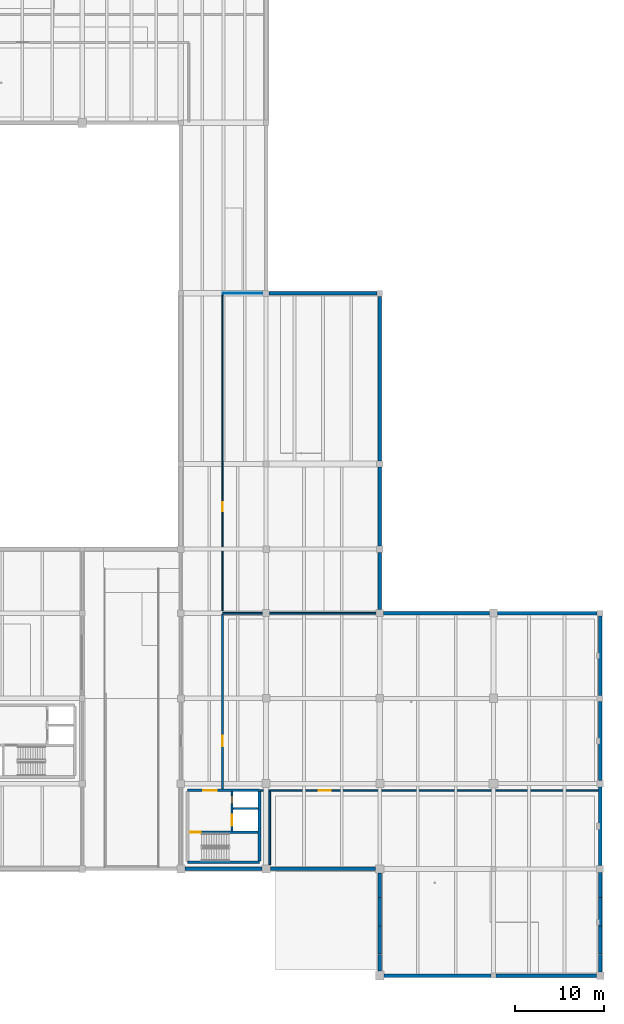
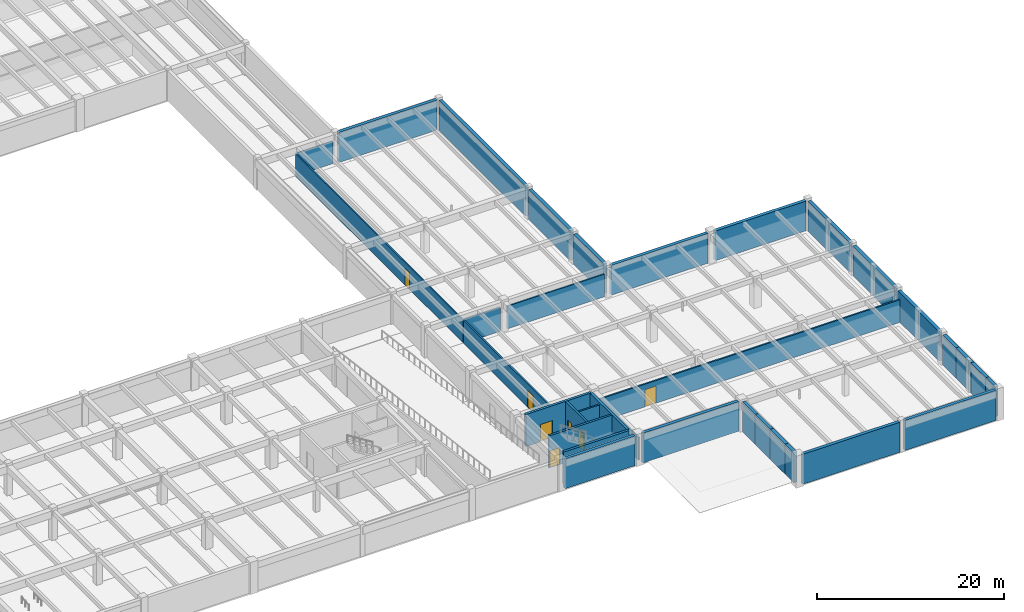
# One storey, part 14 of 28: 34 walls, 7 doors, 7 openings.
"""IFC4 building model written with IfcOpenShell, lengths in metres."""

from ifc_helpers import new_model, si_unit, direction, frame, frame_2d, origin, place, context, subcontext, project, spatial, rectangle, extrude, material, layer, layer_set, type_object, element, fill, save


model = new_model("IFC4")

# Units and contexts
model_context = context("Model", 3, precision=1e-05, world=origin(), true_north=direction((0.0, 1.0)))
body_context = subcontext(model_context, "Body", "Model", "MODEL_VIEW")
ifc_project = project(units=[si_unit("LENGTHUNIT", "METRE"), si_unit("AREAUNIT", "SQUARE_METRE"), si_unit("VOLUMEUNIT", "CUBIC_METRE"), si_unit("PLANEANGLEUNIT", "RADIAN"), si_unit("MASSUNIT", "GRAM", prefix="KILO")], contexts=[model_context])

# Site, building, storey
site_placement = place(None, origin())
site = spatial("IfcSite", under=ifc_project, at=site_placement, CompositionType="ELEMENT")
building_placement = place(site_placement, origin())
building = spatial("IfcBuilding", under=site, at=building_placement, Name="Fikremerkos Civic Library", CompositionType="ELEMENT")
storey_placement = place(building_placement, frame((0.0, 0.0, -4.199951171875)))
storey = spatial("IfcBuildingStorey", under=building, at=storey_placement, Name="B01", CompositionType="ELEMENT", Elevation=-4.199951171875)

# Walls
ifc_material_1 = material(Name="Concrete C40/50", Category="concrete")
ifc_layer_1 = layer(ifc_material_1, 0.39990234375, Name="Concrete C40/50")
ifc_layer_set_1 = layer_set([ifc_layer_1], Name="Concrete C40/50")
wall_type_1 = type_object("IfcWallType", Name="Basement retaining wall BRW-02 400", PredefinedType="USERDEFINED", material=ifc_layer_set_1)
wall_1_placement = place(storey_placement, frame((134.722900390625, 76.800048828125, 0.0), z_axis=(0.0, 0.0, 1.0), x_axis=(1.0, 0.0, 0.0)))
element("IfcWall", 1, at=wall_1_placement, inside=storey, type_object=wall_type_1, Name="Basement retaining wall BRW-02 B01 #133", ObjectType="RETAINING WALL", PredefinedType="USERDEFINED", context=body_context, shape_type="SweptSolid", body=[
    extrude(rectangle(XDim=12.154052734375, YDim=0.39990234375, at=frame_2d((6.0771484375, 0.0))), origin(), (0.0, 0.0, 1.0), 3.919921875),
])
wall_2_placement = place(storey_placement, frame((147.199951171875, 76.47705078125, 0.0), z_axis=(0.0, 0.0, 1.0), x_axis=(0.0, -1.0, 0.0)))
element("IfcWall", 2, at=wall_2_placement, inside=storey, type_object=wall_type_1, Name="Basement retaining wall BRW-02 B01 #134", ObjectType="RETAINING WALL", PredefinedType="USERDEFINED", context=body_context, shape_type="SweptSolid", body=[
    extrude(rectangle(XDim=18.529052734375, YDim=0.39990234375, at=frame_2d((9.2646484375, 0.0))), origin(), (0.0, 0.0, 1.0), 3.919921875),
])
wall_3_placement = place(storey_placement, frame((147.199951171875, 57.251953125, 0.0), z_axis=(0.0, 0.0, 1.0), x_axis=(0.0, -1.0, 0.0)))
element("IfcWall", 3, at=wall_3_placement, inside=storey, type_object=wall_type_1, Name="Basement retaining wall BRW-02 B01 #135", ObjectType="RETAINING WALL", PredefinedType="USERDEFINED", context=body_context, shape_type="SweptSolid", body=[
    extrude(rectangle(XDim=8.87890625, YDim=0.39990234375, at=frame_2d((4.439453125, 0.0))), origin(), (0.0, 0.0, 1.0), 3.919921875),
])
wall_4_placement = place(storey_placement, frame((147.199951171875, 47.626953125, 0.0), z_axis=(0.0, 0.0, 1.0), x_axis=(0.0, -1.0, 0.0)))
element("IfcWall", 4, at=wall_4_placement, inside=storey, type_object=wall_type_1, Name="Basement retaining wall BRW-02 B01 #136", ObjectType="RETAINING WALL", PredefinedType="USERDEFINED", context=body_context, shape_type="SweptSolid", body=[
    extrude(rectangle(XDim=6.428955078125, YDim=0.39990234375, at=frame_2d((3.21435546875, 0.0))), origin(), (0.0, 0.0, 1.0), 3.919921875),
])
wall_5_placement = place(storey_placement, frame((147.597900390625, 40.800048828125, 0.0), z_axis=(0.0, 0.0, 1.0), x_axis=(1.0, 0.0, 0.0)))
element("IfcWall", 5, at=wall_5_placement, inside=storey, type_object=wall_type_1, Name="Basement retaining wall BRW-02 B01 #137", ObjectType="RETAINING WALL", PredefinedType="USERDEFINED", context=body_context, shape_type="SweptSolid", body=[
    extrude(rectangle(XDim=11.9541015625, YDim=0.39990234375, at=frame_2d((5.97705078125, 0.0))), origin(), (0.0, 0.0, 1.0), 3.8798828125),
])
wall_6_placement = place(storey_placement, frame((160.447998046875, 40.800048828125, 0.0), z_axis=(0.0, 0.0, 1.0), x_axis=(1.0, 0.0, 0.0)))
element("IfcWall", 6, at=wall_6_placement, inside=storey, type_object=wall_type_1, Name="Basement retaining wall BRW-02 B01 #138", ObjectType="RETAINING WALL", PredefinedType="USERDEFINED", context=body_context, shape_type="SweptSolid", body=[
    extrude(rectangle(XDim=11.22900390625, YDim=0.39990234375, at=frame_2d((5.614501953125, 0.0))), origin(), (0.0, 0.0, 1.0), 3.8798828125),
])
wall_7_placement = place(storey_placement, frame((172.0, 40.47705078125, 0.0), z_axis=(0.0, 0.0, 1.0), x_axis=(0.0, -1.0, 0.0)))
element("IfcWall", 7, at=wall_7_placement, inside=storey, type_object=wall_type_1, Name="Basement retaining wall BRW-02 B01 #139", ObjectType="RETAINING WALL", PredefinedType="USERDEFINED", context=body_context, shape_type="SweptSolid", body=[
    extrude(rectangle(XDim=8.928955078125, YDim=0.39990234375, at=frame_2d((4.46435546875, 0.0))), origin(), (0.0, 0.0, 1.0), 3.8798828125),
])
wall_8_placement = place(storey_placement, frame((172.0, 30.85205078125, 0.0), z_axis=(0.0, 0.0, 1.0), x_axis=(0.0, -1.0, 0.0)))
element("IfcWall", 8, at=wall_8_placement, inside=storey, type_object=wall_type_1, Name="Basement retaining wall BRW-02 B01 #140", ObjectType="RETAINING WALL", PredefinedType="USERDEFINED", context=body_context, shape_type="SweptSolid", body=[
    extrude(rectangle(XDim=8.879150390625, YDim=0.39990234375, at=frame_2d((4.439453125, 0.0))), origin(), (0.0, 0.0, 1.0), 3.8798828125),
])
wall_9_placement = place(storey_placement, frame((172.0, 21.22705078125, 0.0), z_axis=(0.0, 0.0, 1.0), x_axis=(0.0, -1.0, 0.0)))
element("IfcWall", 9, at=wall_9_placement, inside=storey, type_object=wall_type_1, Name="Basement retaining wall BRW-02 B01 #141", ObjectType="RETAINING WALL", PredefinedType="USERDEFINED", context=body_context, shape_type="SweptSolid", body=[
    extrude(rectangle(XDim=8.8291015625, YDim=0.39990234375, at=frame_2d((4.41455078125, 0.0))), origin(), (0.0, 0.0, 1.0), 3.8798828125),
])
wall_10_placement = place(storey_placement, frame((172.0, 11.60205078125, 0.0), z_axis=(0.0, 0.0, 1.0), x_axis=(0.0, -1.0, 0.0)))
element("IfcWall", 10, at=wall_10_placement, inside=storey, type_object=wall_type_1, Name="Basement retaining wall BRW-02 B01 #142", ObjectType="RETAINING WALL", PredefinedType="USERDEFINED", context=body_context, shape_type="SweptSolid", body=[
    extrude(rectangle(XDim=2.800048828125, YDim=0.39990234375, at=frame_2d((1.39990234375, 0.0))), origin(), (0.0, 0.0, 1.0), 3.919921875),
])
wall_11_placement = place(storey_placement, frame((172.0, 8.798095703125, 0.0), z_axis=(0.0, 0.0, 1.0), x_axis=(0.0, -1.0, 0.0)))
element("IfcWall", 11, at=wall_11_placement, inside=storey, type_object=wall_type_1, Name="Basement retaining wall BRW-02 B01 #143", ObjectType="RETAINING WALL", PredefinedType="USERDEFINED", context=body_context, shape_type="SweptSolid", body=[
    extrude(rectangle(XDim=3.196044921875, YDim=0.39990234375, at=frame_2d((1.59814453125, 0.0))), origin(), (0.0, 0.0, 1.0), 3.919921875),
])
wall_12_placement = place(storey_placement, frame((172.0, 5.597900390625, 0.0), z_axis=(0.0, 0.0, 1.0), x_axis=(0.0, -1.0, 0.0)))
element("IfcWall", 12, at=wall_12_placement, inside=storey, type_object=wall_type_1, Name="Basement retaining wall BRW-02 B01 #144", ObjectType="RETAINING WALL", PredefinedType="USERDEFINED", context=body_context, shape_type="SweptSolid", body=[
    extrude(rectangle(XDim=3.19580078125, YDim=0.39990234375, at=frame_2d((1.597900390625, 0.0))), origin(), (0.0, 0.0, 1.0), 3.919921875),
])
wall_13_placement = place(storey_placement, frame((172.0, 2.39794921875, 0.0), z_axis=(0.0, 0.0, 1.0), x_axis=(0.0, -1.0, 0.0)))
element("IfcWall", 13, at=wall_13_placement, inside=storey, type_object=wall_type_1, Name="Basement retaining wall BRW-02 B01 #145", ObjectType="RETAINING WALL", PredefinedType="USERDEFINED", context=body_context, shape_type="SweptSolid", body=[
    extrude(rectangle(XDim=1.974853515625, YDim=0.39990234375, at=frame_2d((0.9873046875, 0.0))), origin(), (0.0, 0.0, 1.0), 3.919921875),
])
wall_14_placement = place(storey_placement, frame((171.576904296875, 0.0, 0.0), z_axis=(0.0, 0.0, 1.0), x_axis=(-1.0, 0.0, 0.0)))
element("IfcWall", 14, at=wall_14_placement, inside=storey, type_object=wall_type_1, Name="Basement retaining wall BRW-02 B01 #146", ObjectType="RETAINING WALL", PredefinedType="USERDEFINED", context=body_context, shape_type="SweptSolid", body=[
    extrude(rectangle(XDim=11.27880859375, YDim=0.39990234375, at=frame_2d((5.639404296875, 0.0))), origin(), (0.0, 0.0, 1.0), 3.919921875),
])
wall_15_placement = place(storey_placement, frame((159.701904296875, 0.0, 0.0), z_axis=(0.0, 0.0, 1.0), x_axis=(-1.0, 0.0, 0.0)))
element("IfcWall", 15, at=wall_15_placement, inside=storey, type_object=wall_type_1, Name="Basement retaining wall BRW-02 B01 #147", ObjectType="RETAINING WALL", PredefinedType="USERDEFINED", context=body_context, shape_type="SweptSolid", body=[
    extrude(rectangle(XDim=12.00390625, YDim=0.39990234375, at=frame_2d((6.001953125, 0.0))), origin(), (0.0, 0.0, 1.0), 3.919921875),
])
wall_16_placement = place(storey_placement, frame((147.199951171875, 0.498046875, 0.0), z_axis=(0.0, 0.0, 1.0), x_axis=(0.0, 1.0, 0.0)))
element("IfcWall", 16, at=wall_16_placement, inside=storey, type_object=wall_type_1, Name="Basement retaining wall BRW-02 B01 #148", ObjectType="RETAINING WALL", PredefinedType="USERDEFINED", context=body_context, shape_type="SweptSolid", body=[
    extrude(rectangle(XDim=1.89990234375, YDim=0.39990234375, at=frame_2d((0.949951171875, 0.0))), origin(), (0.0, 0.0, 1.0), 3.919921875),
])
wall_17_placement = place(storey_placement, frame((147.199951171875, 2.402099609375, 0.0), z_axis=(0.0, 0.0, 1.0), x_axis=(0.0, 1.0, 0.0)))
element("IfcWall", 17, at=wall_17_placement, inside=storey, type_object=wall_type_1, Name="Basement retaining wall BRW-02 B01 #149", ObjectType="RETAINING WALL", PredefinedType="USERDEFINED", context=body_context, shape_type="SweptSolid", body=[
    extrude(rectangle(XDim=3.19580078125, YDim=0.39990234375, at=frame_2d((1.597900390625, 0.0))), origin(), (0.0, 0.0, 1.0), 3.919921875),
])
wall_18_placement = place(storey_placement, frame((147.199951171875, 5.60205078125, 0.0), z_axis=(0.0, 0.0, 1.0), x_axis=(0.0, 1.0, 0.0)))
element("IfcWall", 18, at=wall_18_placement, inside=storey, type_object=wall_type_1, Name="Basement retaining wall BRW-02 B01 #150", ObjectType="RETAINING WALL", PredefinedType="USERDEFINED", context=body_context, shape_type="SweptSolid", body=[
    extrude(rectangle(XDim=3.196044921875, YDim=0.39990234375, at=frame_2d((1.59814453125, 0.0))), origin(), (0.0, 0.0, 1.0), 3.919921875),
])
wall_19_placement = place(storey_placement, frame((147.199951171875, 8.802001953125, 0.0), z_axis=(0.0, 0.0, 1.0), x_axis=(0.0, 1.0, 0.0)))
element("IfcWall", 19, at=wall_19_placement, inside=storey, type_object=wall_type_1, Name="Basement retaining wall BRW-02 B01 #151", ObjectType="RETAINING WALL", PredefinedType="USERDEFINED", context=body_context, shape_type="SweptSolid", body=[
    extrude(rectangle(XDim=2.72509765625, YDim=0.39990234375, at=frame_2d((1.362548828125, 0.0))), origin(), (0.0, 0.0, 1.0), 3.919921875),
])
wall_20_placement = place(storey_placement, frame((146.72705078125, 12.0, 0.0), z_axis=(0.0, 0.0, 1.0), x_axis=(-1.0, 0.0, 0.0)))
element("IfcWall", 20, at=wall_20_placement, inside=storey, type_object=wall_type_1, Name="Basement retaining wall BRW-02 B01 #152", ObjectType="RETAINING WALL", PredefinedType="USERDEFINED", context=body_context, shape_type="SweptSolid", body=[
    extrude(rectangle(XDim=11.85400390625, YDim=0.39990234375, at=frame_2d((5.927001953125, 0.0))), origin(), (0.0, 0.0, 1.0), 3.8798828125),
])
wall_21_placement = place(storey_placement, frame((133.927001953125, 12.0, 0.0), z_axis=(0.0, 0.0, 1.0), x_axis=(-1.0, 0.0, 0.0)))
element("IfcWall", 21, at=wall_21_placement, inside=storey, type_object=wall_type_1, Name="Basement retaining wall BRW-02 B01 #153", ObjectType="RETAINING WALL", PredefinedType="USERDEFINED", context=body_context, shape_type="SweptSolid", body=[
    extrude(rectangle(XDim=8.678955078125, YDim=0.39990234375, at=frame_2d((4.33935546875, 0.0))), origin(), (0.0, 0.0, 1.0), 3.8798828125),
])
ifc_layer_2 = layer(ifc_material_1, 0.300048828125, Name="Concrete C40/50")
ifc_layer_set_2 = layer_set([ifc_layer_2], Name="Concrete C40/50")
wall_type_2 = type_object("IfcWallType", Name="Core shear wall CSW-01 300", PredefinedType="SHEAR", material=ifc_layer_set_2)
wall_22_placement = place(storey_placement, frame((133.64990234375, 12.75, 0.0), z_axis=(0.0, 0.0, 1.0), x_axis=(-1.0, 0.0, 0.0)))
element("IfcWall", 22, at=wall_22_placement, inside=storey, type_object=wall_type_2, Name="Core K4 south shear wall B01", PredefinedType="SHEAR", context=body_context, shape_type="SweptSolid", body=[
    extrude(rectangle(XDim=8.099853515625, YDim=0.300048828125, at=frame_2d((4.0498046875, 0.0))), origin(), (0.0, 0.0, 1.0), 4.199951171875),
])

# Wall, opening, door
wall_23_placement = place(storey_placement, frame((125.550048828125, 20.85009765625, 0.0), z_axis=(0.0, 0.0, 1.0), x_axis=(1.0, 0.0, 0.0)))
wall_23 = element("IfcWall", 23, at=wall_23_placement, inside=storey, type_object=wall_type_2, Name="Core K4 north shear wall B01", PredefinedType="SHEAR", context=body_context, shape_type="SweptSolid", body=[
    extrude(rectangle(XDim=8.099853515625, YDim=0.300048828125, at=frame_2d((4.0498046875, 0.0))), origin(), (0.0, 0.0, 1.0), 4.199951171875),
])
opening_1_placement = place(wall_23_placement, frame((1.800048828125, 0.0, 0.0)))
opening_1 = element("IfcOpeningElement", 24, at=opening_1_placement, cuts=wall_23, Name="Opening D104", PredefinedType="OPENING", context=body_context, shape_type="SweptSolid", body=[
    extrude(rectangle(XDim=1.5, YDim=2.25, at=frame_2d((0.75, 1.125))), frame((0.0, 0.159912109375, 0.0), z_axis=(0.0, -1.0, 0.0), x_axis=(1.0, 0.0, 0.0)), (0.0, 0.0, 1.0), 0.320068359375),
])
ifc_material_2 = material(Name="Hardwood timber and acoustic glass", Category="wood")
door_type_1 = type_object("IfcDoorType", Name="Pedestrian door DT-05 1500x2250", OperationType="NOTDEFINED", PredefinedType="DOOR", material=ifc_material_2)
door_1_placement = place(opening_1_placement, origin())
door_1 = element("IfcDoor", 25, at=door_1_placement, inside=storey, type_object=door_type_1, Name="Core K4 lobby fire door D104 B01", OperationType="SINGLE_SWING_RIGHT", OverallHeight=2.25, OverallWidth=1.5, PredefinedType="DOOR", context=body_context, shape_type="SweptSolid", body=[
    extrude(rectangle(XDim=1.5, YDim=2.25, at=frame_2d((0.75, 1.125))), frame((0.0, 0.032470703125, 0.0), z_axis=(0.0, -1.0, 0.0), x_axis=(1.0, 0.0, 0.0)), (0.0, 0.0, 1.0), 0.06494140625),
])
fill(opening_1, door_1)

# Wall
wall_24_placement = place(storey_placement, frame((133.64990234375, 20.697998046875, 0.0), z_axis=(0.0, 0.0, 1.0), x_axis=(0.0, -1.0, 0.0)))
element("IfcWall", 26, at=wall_24_placement, inside=storey, type_object=wall_type_2, Name="Core K4 east shear wall B01", PredefinedType="SHEAR", context=body_context, shape_type="SweptSolid", body=[
    extrude(rectangle(XDim=7.7958984375, YDim=0.300048828125, at=frame_2d((3.89794921875, 0.0))), origin(), (0.0, 0.0, 1.0), 4.199951171875),
])

# Wall, opening, door
ifc_layer_3 = layer(ifc_material_1, 0.260009765625, Name="Concrete C40/50")
ifc_layer_set_3 = layer_set([ifc_layer_3], Name="Concrete C40/50")
wall_type_3 = type_object("IfcWallType", Name="Core shear wall CSW-02 260", PredefinedType="SHEAR", material=ifc_layer_set_3)
wall_25_placement = place(storey_placement, frame((125.701904296875, 16.1298828125, 0.0), z_axis=(0.0, 0.0, 1.0), x_axis=(1.0, 0.0, 0.0)))
wall_25 = element("IfcWall", 27, at=wall_25_placement, inside=storey, type_object=wall_type_3, Name="Core K4 stair compartment wall B01", PredefinedType="SHEAR", context=body_context, shape_type="SweptSolid", body=[
    extrude(rectangle(XDim=7.796142578125, YDim=0.260009765625, at=frame_2d((3.89794921875, 0.0))), origin(), (0.0, 0.0, 1.0), 4.199951171875),
])
opening_2_placement = place(wall_25_placement, frame((0.14794921875, 0.0, 0.0)))
opening_2 = element("IfcOpeningElement", 28, at=opening_2_placement, cuts=wall_25, Name="Opening D105", PredefinedType="OPENING", context=body_context, shape_type="SweptSolid", body=[
    extrude(rectangle(XDim=1.199951171875, YDim=2.199951171875, at=frame_2d((0.60009765625, 1.10009765625))), frame((0.0, 0.139892578125, 0.0), z_axis=(0.0, -1.0, 0.0), x_axis=(1.0, 0.0, 0.0)), (0.0, 0.0, 1.0), 0.280029296875),
])
door_type_2 = type_object("IfcDoorType", Name="Pedestrian door DT-06 1200x2200", OperationType="NOTDEFINED", PredefinedType="DOOR", material=ifc_material_2)
door_2_placement = place(opening_2_placement, origin())
door_2 = element("IfcDoor", 29, at=door_2_placement, inside=storey, type_object=door_type_2, Name="Core K4 stair fire door D105 B01", OperationType="SINGLE_SWING_LEFT", OverallHeight=2.199951171875, OverallWidth=1.199951171875, PredefinedType="DOOR", context=body_context, shape_type="SweptSolid", body=[
    extrude(rectangle(XDim=1.199951171875, YDim=2.199951171875, at=frame_2d((0.60009765625, 1.10009765625))), frame((0.0, 0.032470703125, 0.0), z_axis=(0.0, -1.0, 0.0), x_axis=(1.0, 0.0, 0.0)), (0.0, 0.0, 1.0), 0.06494140625),
])
fill(opening_2, door_2)

# Wall, openings, doors
wall_26_placement = place(storey_placement, frame((130.570068359375, 16.261962890625, 0.0), z_axis=(0.0, 0.0, 1.0), x_axis=(0.0, 1.0, 0.0)))
wall_26 = element("IfcWall", 30, at=wall_26_placement, inside=storey, type_object=wall_type_3, Name="Core K4 lift shaft front wall B01", PredefinedType="SHEAR", context=body_context, shape_type="SweptSolid", body=[
    extrude(rectangle(XDim=4.43603515625, YDim=0.260009765625, at=frame_2d((2.218017578125, 0.0))), origin(), (0.0, 0.0, 1.0), 4.199951171875),
])
opening_3_placement = place(wall_26_placement, frame((3.113037109375, 0.0, 0.0)))
opening_3 = element("IfcOpeningElement", 31, at=opening_3_placement, cuts=wall_26, Name="Opening D106", PredefinedType="OPENING", context=body_context, shape_type="SweptSolid", body=[
    extrude(rectangle(XDim=0.85009765625, YDim=2.050048828125, at=frame_2d((0.425048828125, 1.02490234375))), frame((0.0, 0.139892578125, 0.0), z_axis=(0.0, -1.0, 0.0), x_axis=(1.0, 0.0, 0.0)), (0.0, 0.0, 1.0), 0.280029296875),
])
opening_4_placement = place(wall_26_placement, frame((0.593017578125, 0.0, 0.0)))
opening_4 = element("IfcOpeningElement", 32, at=opening_4_placement, cuts=wall_26, Name="Opening LD50", PredefinedType="OPENING", context=body_context, shape_type="SweptSolid", body=[
    extrude(rectangle(XDim=1.25, YDim=2.199951171875, at=frame_2d((0.625, 1.10009765625))), frame((0.0, 0.139892578125, 0.0), z_axis=(0.0, -1.0, 0.0), x_axis=(1.0, 0.0, 0.0)), (0.0, 0.0, 1.0), 0.280029296875),
])
ifc_material_3 = material(Name="Brushed stainless steel", Category="steel")
door_type_3 = type_object("IfcDoorType", Name="Lift landing door LDT-02 1250x2200", OperationType="NOTDEFINED", PredefinedType="DOOR", material=ifc_material_3)
door_3_placement = place(opening_4_placement, origin())
door_3 = element("IfcDoor", 33, at=door_3_placement, inside=storey, type_object=door_type_3, Name="Lift LF07 sliding landing door LD50 B01", OperationType="SLIDING_TO_LEFT", OverallHeight=2.199951171875, OverallWidth=1.25, PredefinedType="DOOR", context=body_context, shape_type="SweptSolid", body=[
    extrude(rectangle(XDim=1.25, YDim=2.199951171875, at=frame_2d((0.625, 1.10009765625))), frame((0.0, 0.032470703125, 0.0), z_axis=(0.0, -1.0, 0.0), x_axis=(1.0, 0.0, 0.0)), (0.0, 0.0, 1.0), 0.06494140625),
])
fill(opening_4, door_3)
door_type_4 = type_object("IfcDoorType", Name="Pedestrian door DT-08 850x2050", OperationType="NOTDEFINED", PredefinedType="DOOR", material=ifc_material_2)
door_4_placement = place(opening_3_placement, origin())
door_4 = element("IfcDoor", 34, at=door_4_placement, inside=storey, type_object=door_type_4, Name="Core K4 riser access fire door D106 B01", OperationType="SINGLE_SWING_RIGHT", OverallHeight=2.050048828125, OverallWidth=0.85009765625, PredefinedType="DOOR", context=body_context, shape_type="SweptSolid", body=[
    extrude(rectangle(XDim=0.85009765625, YDim=2.050048828125, at=frame_2d((0.425048828125, 1.02490234375))), frame((0.0, 0.032470703125, 0.0), z_axis=(0.0, -1.0, 0.0), x_axis=(1.0, 0.0, 0.0)), (0.0, 0.0, 1.0), 0.06494140625),
])
fill(opening_3, door_4)

# Walls
ifc_material_4 = material(Name="Acoustic concrete blockwork", Category="masonry")
ifc_layer_4 = layer(ifc_material_4, 0.18994140625, Name="Acoustic concrete blockwork")
ifc_layer_set_4 = layer_set([ifc_layer_4], Name="Acoustic concrete blockwork")
wall_type_4 = type_object("IfcWallType", Name="Interior partition wall IPW-01 190", PredefinedType="PARTITIONING", material=ifc_layer_set_4)
wall_27_placement = place(storey_placement, frame((129.5, 40.800048828125, 0.0), z_axis=(0.0, 0.0, 1.0), x_axis=(1.0, 0.0, 0.0)))
element("IfcWall", 35, at=wall_27_placement, inside=storey, type_object=wall_type_4, Name="Interior wall IPW-01 B01 #52", PredefinedType="PARTITIONING", context=body_context, shape_type="SweptSolid", body=[
    extrude(rectangle(XDim=4.4970703125, YDim=0.18994140625, at=frame_2d((2.24853515625, 0.0))), origin(), (0.0, 0.0, 1.0), 3.119873046875),
])
wall_28_placement = place(storey_placement, frame((134.802978515625, 40.800048828125, 0.0), z_axis=(0.0, 0.0, 1.0), x_axis=(1.0, 0.0, 0.0)))
element("IfcWall", 36, at=wall_28_placement, inside=storey, type_object=wall_type_4, Name="Interior wall IPW-01 B01 #53", PredefinedType="PARTITIONING", context=body_context, shape_type="SweptSolid", body=[
    extrude(rectangle(XDim=11.994140625, YDim=0.18994140625, at=frame_2d((5.9970703125, 0.0))), origin(), (0.0, 0.0, 1.0), 2.969970703125),
])

# Wall, opening, door
wall_29_placement = place(storey_placement, frame((133.72998046875, 20.85009765625, 0.0), z_axis=(0.0, 0.0, 1.0), x_axis=(1.0, 0.0, 0.0)))
wall_29 = element("IfcWall", 37, at=wall_29_placement, inside=storey, type_object=wall_type_4, Name="Interior wall IPW-01 B01 #54", PredefinedType="PARTITIONING", context=body_context, shape_type="SweptSolid", body=[
    extrude(rectangle(XDim=38.067138671875, YDim=0.18994140625, at=frame_2d((19.03369140625, 0.0))), origin(), (0.0, 0.0, 1.0), 2.969970703125),
])
opening_5_placement = place(wall_29_placement, frame((6.594970703125, 0.0, 0.0)))
opening_5 = element("IfcOpeningElement", 38, at=opening_5_placement, cuts=wall_29, Name="Opening D157", PredefinedType="OPENING", context=body_context, shape_type="SweptSolid", body=[
    extrude(rectangle(XDim=1.35009765625, YDim=2.25, at=frame_2d((0.675048828125, 1.125))), frame((0.0, 0.10498046875, 0.0), z_axis=(0.0, -1.0, 0.0), x_axis=(1.0, 0.0, 0.0)), (0.0, 0.0, 1.0), 0.2099609375),
])
door_type_5 = type_object("IfcDoorType", Name="Pedestrian door DT-07 1350x2250", OperationType="NOTDEFINED", PredefinedType="DOOR", material=ifc_material_2)
door_5_placement = place(opening_5_placement, origin())
door_5 = element("IfcDoor", 39, at=door_5_placement, inside=storey, type_object=door_type_5, Name="Interior door D157 B01", OperationType="SINGLE_SWING_RIGHT", OverallHeight=2.25, OverallWidth=1.35009765625, PredefinedType="DOOR", context=body_context, shape_type="SweptSolid", body=[
    extrude(rectangle(XDim=1.35009765625, YDim=2.25, at=frame_2d((0.675048828125, 1.125))), frame((0.0, 0.032470703125, 0.0), z_axis=(0.0, -1.0, 0.0), x_axis=(1.0, 0.0, 0.0)), (0.0, 0.0, 1.0), 0.06494140625),
])
fill(opening_5, door_5)

wall_30_placement = place(storey_placement, frame((129.5, 21.0029296875, 0.0), z_axis=(0.0, 0.0, 1.0), x_axis=(0.0, 1.0, 0.0)))
wall_30 = element("IfcWall", 40, at=wall_30_placement, inside=storey, type_object=wall_type_4, Name="Interior wall IPW-01 B01 #66", PredefinedType="PARTITIONING", context=body_context, shape_type="SweptSolid", body=[
    extrude(rectangle(XDim=19.692138671875, YDim=0.18994140625, at=frame_2d((9.84619140625, 0.0))), origin(), (0.0, 0.0, 1.0), 3.02001953125),
])
opening_6_placement = place(wall_30_placement, frame((4.797119140625, 0.0, 0.0)))
opening_6 = element("IfcOpeningElement", 41, at=opening_6_placement, cuts=wall_30, Name="Opening D155", PredefinedType="OPENING", context=body_context, shape_type="SweptSolid", body=[
    extrude(rectangle(XDim=1.199951171875, YDim=2.199951171875, at=frame_2d((0.60009765625, 1.10009765625))), frame((0.0, 0.10498046875, 0.0), z_axis=(0.0, -1.0, 0.0), x_axis=(1.0, 0.0, 0.0)), (0.0, 0.0, 1.0), 0.2099609375),
])
door_6_placement = place(opening_6_placement, origin())
door_6 = element("IfcDoor", 42, at=door_6_placement, inside=storey, type_object=door_type_2, Name="Interior door D155 B01", OperationType="SINGLE_SWING_RIGHT", OverallHeight=2.199951171875, OverallWidth=1.199951171875, PredefinedType="DOOR", context=body_context, shape_type="SweptSolid", body=[
    extrude(rectangle(XDim=1.199951171875, YDim=2.199951171875, at=frame_2d((0.60009765625, 1.10009765625))), frame((0.0, 0.032470703125, 0.0), z_axis=(0.0, -1.0, 0.0), x_axis=(1.0, 0.0, 0.0)), (0.0, 0.0, 1.0), 0.06494140625),
])
fill(opening_6, door_6)

# Wall
wall_31_placement = place(storey_placement, frame((134.800048828125, 12.47802734375, 0.0), z_axis=(0.0, 0.0, 1.0), x_axis=(0.0, 1.0, 0.0)))
element("IfcWall", 43, at=wall_31_placement, inside=storey, type_object=wall_type_4, Name="Interior wall IPW-01 B01 #67", PredefinedType="PARTITIONING", context=body_context, shape_type="SweptSolid", body=[
    extrude(rectangle(XDim=8.26708984375, YDim=0.18994140625, at=frame_2d((4.133544921875, 0.0))), origin(), (0.0, 0.0, 1.0), 2.969970703125),
])

# Wall, opening, door
ifc_material_5 = material(Name="Acoustic gypsum stud partition")
ifc_layer_5 = layer(ifc_material_5, 0.14990234375, Name="Acoustic gypsum stud partition")
ifc_layer_set_5 = layer_set([ifc_layer_5], Name="Acoustic gypsum stud partition")
wall_type_5 = type_object("IfcWallType", Name="Interior partition wall IPW-02 150", PredefinedType="PARTITIONING", material=ifc_layer_set_5)
wall_32_placement = place(storey_placement, frame((129.5, 40.905029296875, 0.0), z_axis=(0.0, 0.0, 1.0), x_axis=(0.0, 1.0, 0.0)))
wall_32 = element("IfcWall", 44, at=wall_32_placement, inside=storey, type_object=wall_type_5, Name="Interior wall IPW-02 B01 #73", PredefinedType="PARTITIONING", context=body_context, shape_type="SweptSolid", body=[
    extrude(rectangle(XDim=35.7900390625, YDim=0.14990234375, at=frame_2d((17.89501953125, 0.0))), origin(), (0.0, 0.0, 1.0), 2.9599609375),
])
opening_7_placement = place(wall_32_placement, frame((11.39501953125, 0.0, 0.0)))
opening_7 = element("IfcOpeningElement", 45, at=opening_7_placement, cuts=wall_32, Name="Opening D156", PredefinedType="OPENING", context=body_context, shape_type="SweptSolid", body=[
    extrude(rectangle(XDim=1.0, YDim=2.199951171875, at=frame_2d((0.5, 1.10009765625))), frame((0.0, 0.0849609375, 0.0), z_axis=(0.0, -1.0, 0.0), x_axis=(1.0, 0.0, 0.0)), (0.0, 0.0, 1.0), 0.169921875),
])
door_type_6 = type_object("IfcDoorType", Name="Pedestrian door DT-01 1000x2200", OperationType="NOTDEFINED", PredefinedType="DOOR", material=ifc_material_2)
door_7_placement = place(opening_7_placement, origin())
door_7 = element("IfcDoor", 46, at=door_7_placement, inside=storey, type_object=door_type_6, Name="Interior door D156 B01", OperationType="SINGLE_SWING_LEFT", OverallHeight=2.199951171875, OverallWidth=1.0, PredefinedType="DOOR", context=body_context, shape_type="SweptSolid", body=[
    extrude(rectangle(XDim=1.0, YDim=2.199951171875, at=frame_2d((0.5, 1.10009765625))), frame((0.0, 0.032470703125, 0.0), z_axis=(0.0, -1.0, 0.0), x_axis=(1.0, 0.0, 0.0)), (0.0, 0.0, 1.0), 0.06494140625),
])
fill(opening_7, door_7)

# Walls
ifc_material_6 = material(Name="Lightweight metal stud partition")
ifc_layer_6 = layer(ifc_material_6, 0.110107421875, Name="Lightweight metal stud partition")
ifc_layer_set_6 = layer_set([ifc_layer_6], Name="Lightweight metal stud partition")
wall_type_6 = type_object("IfcWallType", Name="Interior partition wall IPW-04 110", PredefinedType="PARTITIONING", material=ifc_layer_set_6)
wall_33_placement = place(storey_placement, frame((129.5, 76.800048828125, 0.0), z_axis=(0.0, 0.0, 1.0), x_axis=(1.0, 0.0, 0.0)))
element("IfcWall", 47, at=wall_33_placement, inside=storey, type_object=wall_type_6, Name="Interior wall IPW-04 B01 #71", PredefinedType="PARTITIONING", context=body_context, shape_type="SweptSolid", body=[
    extrude(rectangle(XDim=4.572021484375, YDim=0.110107421875, at=frame_2d((2.2861328125, 0.0))), origin(), (0.0, 0.0, 1.0), 2.9599609375),
])
ifc_material_7 = material(Name="Concrete C35/45", Category="concrete")
ifc_layer_7 = layer(ifc_material_7, 0.199951171875, Name="Concrete C35/45")
ifc_layer_set_7 = layer_set([ifc_layer_7], Name="Concrete C35/45")
wall_type_7 = type_object("IfcWallType", Name="Service duct wall SDW-01 200", PredefinedType="PLUMBINGWALL", material=ifc_layer_set_7)
wall_34_placement = place(storey_placement, frame((130.701904296875, 18.800048828125, 0.0), z_axis=(0.0, 0.0, 1.0), x_axis=(1.0, 0.0, 0.0)))
element("IfcWall", 48, at=wall_34_placement, inside=storey, type_object=wall_type_7, Name="Core K4 lift-riser divider wall B01", PredefinedType="PLUMBINGWALL", context=body_context, shape_type="SweptSolid", body=[
    extrude(rectangle(XDim=2.796142578125, YDim=0.199951171875, at=frame_2d((1.39794921875, 0.0))), origin(), (0.0, 0.0, 1.0), 3.8798828125),
])

save(model, "model.ifc")
